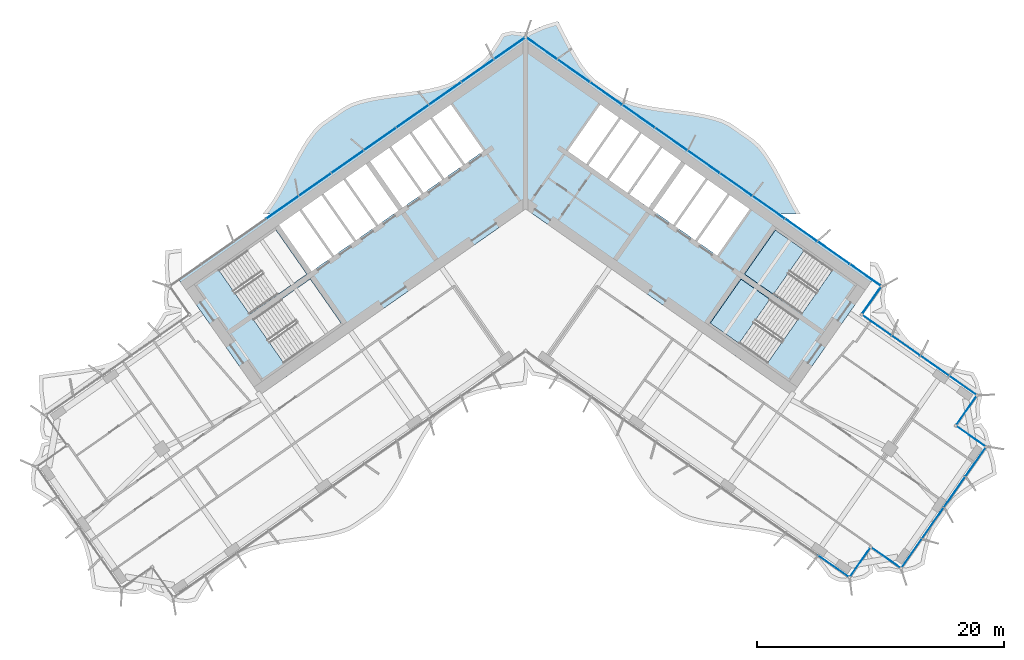
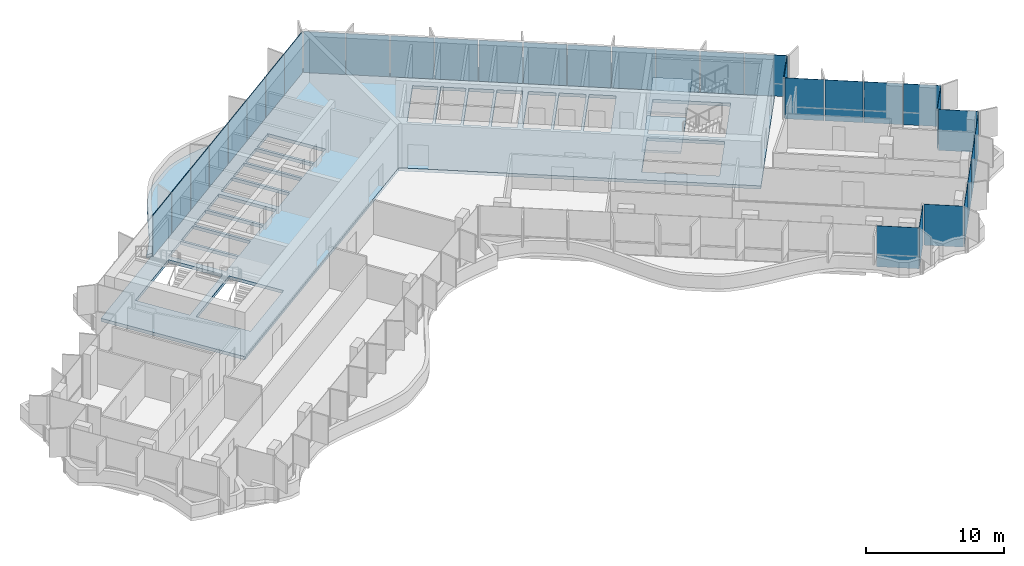
# One storey, part 11 of 21: 33 plates, 4 slabs, 4 elements without a shape of their own.
"""IFC4 building model written with IfcOpenShell, lengths in metres."""

from ifc_helpers import new_model, si_unit, direction, frame, origin, origin_2d, place, context, subcontext, project, spatial, polyline, rectangle, outline, extrude, material, layer, layer_set, type_object, element, aggregate, save


model = new_model("IFC4")

# Units and contexts
model_context = context("Model", 3, precision=1e-05, world=origin(), true_north=direction((0.0, 1.0)))
body_context = subcontext(model_context, "Body", "Model", "MODEL_VIEW")
ifc_project = project(units=[si_unit("LENGTHUNIT", "METRE"), si_unit("AREAUNIT", "SQUARE_METRE"), si_unit("VOLUMEUNIT", "CUBIC_METRE"), si_unit("PLANEANGLEUNIT", "RADIAN"), si_unit("MASSUNIT", "GRAM", prefix="KILO")], contexts=[model_context])

# Site, building, storey
site_placement = place(None, origin())
site = spatial("IfcSite", under=ifc_project, at=site_placement, CompositionType="ELEMENT")
building_placement = place(site_placement, origin())
building = spatial("IfcBuilding", under=site, at=building_placement, Name="Tel Ilan Convention Tower", CompositionType="ELEMENT")
storey_placement = place(building_placement, frame((0.0, 0.0, 159.300048828125)))
storey = spatial("IfcBuildingStorey", under=building, at=storey_placement, Name="L36", CompositionType="ELEMENT", Elevation=159.300048828125)

# Curtain wall, plates
ifc_material_1 = material(Name="Aluminium, bronze anodised", Category="aluminium")
curtain_wall_type_1 = type_object("IfcCurtainWallType", Name="CW4 STICK CURTAIN WALL, OFFICE TINTED GLASS", PredefinedType="NOTDEFINED", material=ifc_material_1)
curtain_wall_1_placement = place(storey_placement, origin())
curtain_wall_1 = element("IfcCurtainWall", 1, at=curtain_wall_1_placement, inside=storey, type_object=curtain_wall_type_1, Name="Curtain wall CW4-28.02", PredefinedType="NOTDEFINED")
ifc_material_2 = material(Name="Glass, bronze tinted, two-ply", Category="glass")
ifc_layer_1 = layer(ifc_material_2, 0.028076171875)
ifc_layer_set_1 = layer_set([ifc_layer_1], Name="CW GLASS PANEL 28")
plate_type_1 = type_object("IfcPlateType", Name="CW GLASS PANEL 28", PredefinedType="CURTAIN_PANEL", material=ifc_layer_set_1)
plate_1_placement = place(storey_placement, frame((24.958251953125, -30.172119140625, 0.0), z_axis=(0.0, 0.0, 1.0), x_axis=(0.819152044289, -0.573576436351, 0.0)))
plate_1 = element("IfcPlate", 2, at=plate_1_placement, type_object=plate_type_1, Name="Glass panel", PredefinedType="CURTAIN_PANEL", context=body_context, shape_type="SweptSolid", body=[
    extrude(rectangle(XDim=3.05078125, YDim=0.028076171875, at=origin_2d()), origin(), (0.0, 0.0, 1.0), 3.6201171875),
])
plate_2_placement = place(storey_placement, frame((27.065673828125, -29.863525390625, 0.0), z_axis=(0.0, 0.0, 1.0), x_axis=(0.573576436351, 0.819152044289, 0.0)))
plate_2 = element("IfcPlate", 3, at=plate_2_placement, type_object=plate_type_1, Name="Glass panel", PredefinedType="CURTAIN_PANEL", context=body_context, shape_type="SweptSolid", body=[
    extrude(rectangle(XDim=2.875, YDim=0.028076171875, at=origin_2d()), origin(), (0.0, 0.0, 1.0), 3.6201171875),
])
plate_3_placement = place(storey_placement, frame((29.20849609375, -29.48583984375, 0.0), z_axis=(0.0, 0.0, 1.0), x_axis=(0.819152044289, -0.573576436351, 0.0)))
plate_3 = element("IfcPlate", 4, at=plate_3_placement, type_object=plate_type_1, Name="Glass panel", PredefinedType="CURTAIN_PANEL", context=body_context, shape_type="SweptSolid", body=[
    extrude(rectangle(XDim=2.875, YDim=0.028076171875, at=origin_2d()), origin(), (0.0, 0.0, 1.0), 3.6201171875),
])
plate_4_placement = place(storey_placement, frame((31.25, -29.1181640625, 0.0), z_axis=(0.0, 0.0, 1.0), x_axis=(0.573576436351, 0.819152044289, 0.0)))
plate_4 = element("IfcPlate", 5, at=plate_4_placement, type_object=plate_type_1, Name="Glass panel", PredefinedType="CURTAIN_PANEL", context=body_context, shape_type="SweptSolid", body=[
    extrude(rectangle(XDim=2.89599609375, YDim=0.028076171875, at=origin_2d()), origin(), (0.0, 0.0, 1.0), 3.6201171875),
])
plate_5_placement = place(storey_placement, frame((32.972412109375, -26.658203125, 0.0), z_axis=(0.0, 0.0, 1.0), x_axis=(0.573576436351, 0.819152044289, 0.0)))
plate_5 = element("IfcPlate", 6, at=plate_5_placement, type_object=plate_type_1, Name="Glass panel", PredefinedType="CURTAIN_PANEL", context=body_context, shape_type="SweptSolid", body=[
    extrude(rectangle(XDim=2.989990234375, YDim=0.028076171875, at=origin_2d()), origin(), (0.0, 0.0, 1.0), 3.6201171875),
])
plate_6_placement = place(storey_placement, frame((34.721923828125, -24.159912109375, 0.0), z_axis=(0.0, 0.0, 1.0), x_axis=(0.573576436351, 0.819152044289, 0.0)))
plate_6 = element("IfcPlate", 7, at=plate_6_placement, type_object=plate_type_1, Name="Glass panel", PredefinedType="CURTAIN_PANEL", context=body_context, shape_type="SweptSolid", body=[
    extrude(rectangle(XDim=2.989990234375, YDim=0.028076171875, at=origin_2d()), origin(), (0.0, 0.0, 1.0), 3.6201171875),
])
plate_7_placement = place(storey_placement, frame((36.4443359375, -21.699951171875, 0.0), z_axis=(0.0, 0.0, 1.0), x_axis=(0.573576436351, 0.819152044289, 0.0)))
plate_7 = element("IfcPlate", 8, at=plate_7_placement, type_object=plate_type_1, Name="Glass panel", PredefinedType="CURTAIN_PANEL", context=body_context, shape_type="SweptSolid", body=[
    extrude(rectangle(XDim=2.89599609375, YDim=0.028076171875, at=origin_2d()), origin(), (0.0, 0.0, 1.0), 3.6201171875),
])
plate_8_placement = place(storey_placement, frame((36.09130859375, -19.656005859375, 0.0), z_axis=(0.0, 0.0, 1.0), x_axis=(-0.819152044289, 0.573576436351, 0.0)))
plate_8 = element("IfcPlate", 9, at=plate_8_placement, type_object=plate_type_1, Name="Glass panel", PredefinedType="CURTAIN_PANEL", context=body_context, shape_type="SweptSolid", body=[
    extrude(rectangle(XDim=2.875, YDim=0.028076171875, at=origin_2d()), origin(), (0.0, 0.0, 1.0), 3.6201171875),
])
plate_9_placement = place(storey_placement, frame((35.713623046875, -17.51318359375, 0.0), z_axis=(0.0, 0.0, 1.0), x_axis=(0.573576436351, 0.819152044289, 0.0)))
plate_9 = element("IfcPlate", 10, at=plate_9_placement, type_object=plate_type_1, Name="Glass panel", PredefinedType="CURTAIN_PANEL", context=body_context, shape_type="SweptSolid", body=[
    extrude(rectangle(XDim=2.875, YDim=0.028076171875, at=origin_2d()), origin(), (0.0, 0.0, 1.0), 3.6201171875),
])
plate_10_placement = place(storey_placement, frame((35.427978515625, -15.529052734375, 0.0), z_axis=(0.0, 0.0, 1.0), x_axis=(-0.819152044289, 0.573576436351, 0.0)))
plate_10 = element("IfcPlate", 11, at=plate_10_placement, type_object=plate_type_1, Name="Glass panel", PredefinedType="CURTAIN_PANEL", context=body_context, shape_type="SweptSolid", body=[
    extrude(rectangle(XDim=2.696044921875, YDim=0.028076171875, at=origin_2d()), origin(), (0.0, 0.0, 1.0), 3.6201171875),
])
plate_11_placement = place(storey_placement, frame((33.1318359375, -13.92138671875, 0.0), z_axis=(0.0, 0.0, 1.0), x_axis=(-0.819152044289, 0.573576436351, 0.0)))
plate_11 = element("IfcPlate", 12, at=plate_11_placement, type_object=plate_type_1, Name="Glass panel", PredefinedType="CURTAIN_PANEL", context=body_context, shape_type="SweptSolid", body=[
    extrude(rectangle(XDim=2.7900390625, YDim=0.028076171875, at=origin_2d()), origin(), (0.0, 0.0, 1.0), 3.6201171875),
])
plate_12_placement = place(storey_placement, frame((30.79736328125, -12.28662109375, 0.0), z_axis=(0.0, 0.0, 1.0), x_axis=(-0.819152044289, 0.573576436351, 0.0)))
plate_12 = element("IfcPlate", 13, at=plate_12_placement, type_object=plate_type_1, Name="Glass panel", PredefinedType="CURTAIN_PANEL", context=body_context, shape_type="SweptSolid", body=[
    extrude(rectangle(XDim=2.7900390625, YDim=0.028076171875, at=origin_2d()), origin(), (0.0, 0.0, 1.0), 3.6201171875),
])
plate_13_placement = place(storey_placement, frame((28.450927734375, -10.6435546875, 0.0), z_axis=(0.0, 0.0, 1.0), x_axis=(-0.819152044289, 0.573576436351, 0.0)))
plate_13 = element("IfcPlate", 14, at=plate_13_placement, type_object=plate_type_1, Name="Glass panel", PredefinedType="CURTAIN_PANEL", context=body_context, shape_type="SweptSolid", body=[
    extrude(rectangle(XDim=2.819091796875, YDim=0.028076171875, at=origin_2d()), origin(), (0.0, 0.0, 1.0), 3.6201171875),
])
aggregate(curtain_wall_1, [plate_1, plate_2, plate_3, plate_4, plate_5, plate_6, plate_7, plate_8, plate_9, plate_10, plate_11, plate_12, plate_13])

ifc_material_3 = material(Name="Aluminium, bronze anodised", Category="aluminium")
curtain_wall_type_2 = type_object("IfcCurtainWallType", Name="CW2 STICK CURTAIN WALL, SPANDREL PANELS", PredefinedType="NOTDEFINED", material=ifc_material_3)
curtain_wall_2_placement = place(storey_placement, origin())
curtain_wall_2 = element("IfcCurtainWall", 15, at=curtain_wall_2_placement, inside=storey, type_object=curtain_wall_type_2, Name="Curtain wall CW2-28.01", PredefinedType="NOTDEFINED")
ifc_material_4 = material(Name="Aluminium composite panel, bronze anodised", Category="aluminium")
ifc_layer_2 = layer(ifc_material_4, 0.06005859375)
ifc_layer_set_2 = layer_set([ifc_layer_2], Name="CW SPANDREL PANEL 60")
plate_type_2 = type_object("IfcPlateType", Name="CW SPANDREL PANEL 60", PredefinedType="CURTAIN_PANEL", material=ifc_layer_set_2)
plate_14_placement = place(storey_placement, frame((28.033935546875, -8.60546875, 0.0), z_axis=(0.0, 0.0, 1.0), x_axis=(0.573576436351, 0.819152044289, 0.0)))
plate_14 = element("IfcPlate", 16, at=plate_14_placement, type_object=plate_type_2, Name="Spandrel panel", PredefinedType="CURTAIN_PANEL", context=body_context, shape_type="SweptSolid", body=[
    extrude(rectangle(XDim=2.658935546875, YDim=0.06005859375, at=origin_2d()), origin(), (0.0, 0.0, 1.0), 3.6201171875),
])
plate_15_placement = place(storey_placement, frame((27.5400390625, -6.587646484375, 0.0), z_axis=(0.0, 0.0, 1.0), x_axis=(-0.819152044289, 0.573576436351, 0.0)))
plate_15 = element("IfcPlate", 17, at=plate_15_placement, type_object=plate_type_2, Name="Spandrel panel", PredefinedType="CURTAIN_PANEL", context=body_context, shape_type="SweptSolid", body=[
    extrude(rectangle(XDim=3.0439453125, YDim=0.06005859375, at=origin_2d()), origin(), (0.0, 0.0, 1.0), 3.6201171875),
])
plate_16_placement = place(storey_placement, frame((24.95263671875, -4.77587890625, 0.0), z_axis=(0.0, 0.0, 1.0), x_axis=(-0.819152044289, 0.573576436351, 0.0)))
plate_16 = element("IfcPlate", 18, at=plate_16_placement, type_object=plate_type_2, Name="Spandrel panel", PredefinedType="CURTAIN_PANEL", context=body_context, shape_type="SweptSolid", body=[
    extrude(rectangle(XDim=3.15380859375, YDim=0.06005859375, at=origin_2d()), origin(), (0.0, 0.0, 1.0), 3.6201171875),
])
plate_17_placement = place(storey_placement, frame((22.31982421875, -2.9326171875, 0.0), z_axis=(0.0, 0.0, 1.0), x_axis=(-0.819152044289, 0.573576436351, 0.0)))
plate_17 = element("IfcPlate", 19, at=plate_17_placement, type_object=plate_type_2, Name="Spandrel panel", PredefinedType="CURTAIN_PANEL", context=body_context, shape_type="SweptSolid", body=[
    extrude(rectangle(XDim=3.15380859375, YDim=0.06005859375, at=origin_2d()), origin(), (0.0, 0.0, 1.0), 3.6201171875),
])
plate_18_placement = place(storey_placement, frame((19.687255859375, -1.089111328125, 0.0), z_axis=(0.0, 0.0, 1.0), x_axis=(-0.819152044289, 0.573576436351, 0.0)))
plate_18 = element("IfcPlate", 20, at=plate_18_placement, type_object=plate_type_2, Name="Spandrel panel", PredefinedType="CURTAIN_PANEL", context=body_context, shape_type="SweptSolid", body=[
    extrude(rectangle(XDim=3.15380859375, YDim=0.06005859375, at=origin_2d()), origin(), (0.0, 0.0, 1.0), 3.6201171875),
])
plate_19_placement = place(storey_placement, frame((17.0546875, 0.754150390625, 0.0), z_axis=(0.0, 0.0, 1.0), x_axis=(-0.819152044289, 0.573576436351, 0.0)))
plate_19 = element("IfcPlate", 21, at=plate_19_placement, type_object=plate_type_2, Name="Spandrel panel", PredefinedType="CURTAIN_PANEL", context=body_context, shape_type="SweptSolid", body=[
    extrude(rectangle(XDim=3.15380859375, YDim=0.06005859375, at=origin_2d()), origin(), (0.0, 0.0, 1.0), 3.6201171875),
])
plate_20_placement = place(storey_placement, frame((14.422119140625, 2.59765625, 0.0), z_axis=(0.0, 0.0, 1.0), x_axis=(-0.819152044289, 0.573576436351, 0.0)))
plate_20 = element("IfcPlate", 22, at=plate_20_placement, type_object=plate_type_2, Name="Spandrel panel", PredefinedType="CURTAIN_PANEL", context=body_context, shape_type="SweptSolid", body=[
    extrude(rectangle(XDim=3.15380859375, YDim=0.06005859375, at=origin_2d()), origin(), (0.0, 0.0, 1.0), 3.6201171875),
])
plate_21_placement = place(storey_placement, frame((11.789306640625, 4.44091796875, 0.0), z_axis=(0.0, 0.0, 1.0), x_axis=(-0.819152044289, 0.573576436351, 0.0)))
plate_21 = element("IfcPlate", 23, at=plate_21_placement, type_object=plate_type_2, Name="Spandrel panel", PredefinedType="CURTAIN_PANEL", context=body_context, shape_type="SweptSolid", body=[
    extrude(rectangle(XDim=3.15380859375, YDim=0.06005859375, at=origin_2d()), origin(), (0.0, 0.0, 1.0), 3.6201171875),
])
plate_22_placement = place(storey_placement, frame((9.15673828125, 6.284423828125, 0.0), z_axis=(0.0, 0.0, 1.0), x_axis=(-0.819152044289, 0.573576436351, 0.0)))
plate_22 = element("IfcPlate", 24, at=plate_22_placement, type_object=plate_type_2, Name="Spandrel panel", PredefinedType="CURTAIN_PANEL", context=body_context, shape_type="SweptSolid", body=[
    extrude(rectangle(XDim=3.15380859375, YDim=0.06005859375, at=origin_2d()), origin(), (0.0, 0.0, 1.0), 3.6201171875),
])
plate_23_placement = place(storey_placement, frame((6.524169921875, 8.127685546875, 0.0), z_axis=(0.0, 0.0, 1.0), x_axis=(-0.819152044289, 0.573576436351, 0.0)))
plate_23 = element("IfcPlate", 25, at=plate_23_placement, type_object=plate_type_2, Name="Spandrel panel", PredefinedType="CURTAIN_PANEL", context=body_context, shape_type="SweptSolid", body=[
    extrude(rectangle(XDim=3.15380859375, YDim=0.06005859375, at=origin_2d()), origin(), (0.0, 0.0, 1.0), 3.6201171875),
])
plate_24_placement = place(storey_placement, frame((3.8916015625, 9.97119140625, 0.0), z_axis=(0.0, 0.0, 1.0), x_axis=(-0.819152044289, 0.573576436351, 0.0)))
plate_24 = element("IfcPlate", 26, at=plate_24_placement, type_object=plate_type_2, Name="Spandrel panel", PredefinedType="CURTAIN_PANEL", context=body_context, shape_type="SweptSolid", body=[
    extrude(rectangle(XDim=3.15380859375, YDim=0.06005859375, at=origin_2d()), origin(), (0.0, 0.0, 1.0), 3.6201171875),
])
plate_25_placement = place(storey_placement, frame((1.303955078125, 11.782958984375, 0.0), z_axis=(0.0, 0.0, 1.0), x_axis=(-0.819152044289, 0.573576436351, 0.0)))
plate_25 = element("IfcPlate", 27, at=plate_25_placement, type_object=plate_type_2, Name="Spandrel panel", PredefinedType="CURTAIN_PANEL", context=body_context, shape_type="SweptSolid", body=[
    extrude(rectangle(XDim=3.0439453125, YDim=0.06005859375, at=origin_2d()), origin(), (0.0, 0.0, 1.0), 3.6201171875),
])
plate_26_placement = place(storey_placement, frame((-1.303955078125, 11.782958984375, 0.0), z_axis=(0.0, 0.0, 1.0), x_axis=(-0.819152044289, -0.573576436351, 0.0)))
plate_26 = element("IfcPlate", 28, at=plate_26_placement, type_object=plate_type_2, Name="Spandrel panel", PredefinedType="CURTAIN_PANEL", context=body_context, shape_type="SweptSolid", body=[
    extrude(rectangle(XDim=3.0439453125, YDim=0.06005859375, at=origin_2d()), origin(), (0.0, 0.0, 1.0), 3.6201171875),
])
plate_27_placement = place(storey_placement, frame((-3.8916015625, 9.97119140625, 0.0), z_axis=(0.0, 0.0, 1.0), x_axis=(-0.819152044289, -0.573576436351, 0.0)))
plate_27 = element("IfcPlate", 29, at=plate_27_placement, type_object=plate_type_2, Name="Spandrel panel", PredefinedType="CURTAIN_PANEL", context=body_context, shape_type="SweptSolid", body=[
    extrude(rectangle(XDim=3.15380859375, YDim=0.06005859375, at=origin_2d()), origin(), (0.0, 0.0, 1.0), 3.6201171875),
])
plate_28_placement = place(storey_placement, frame((-6.524169921875, 8.127685546875, 0.0), z_axis=(0.0, 0.0, 1.0), x_axis=(-0.819152044289, -0.573576436351, 0.0)))
plate_28 = element("IfcPlate", 30, at=plate_28_placement, type_object=plate_type_2, Name="Spandrel panel", PredefinedType="CURTAIN_PANEL", context=body_context, shape_type="SweptSolid", body=[
    extrude(rectangle(XDim=3.15380859375, YDim=0.06005859375, at=origin_2d()), origin(), (0.0, 0.0, 1.0), 3.6201171875),
])
plate_29_placement = place(storey_placement, frame((-9.15673828125, 6.284423828125, 0.0), z_axis=(0.0, 0.0, 1.0), x_axis=(-0.819152044289, -0.573576436351, 0.0)))
plate_29 = element("IfcPlate", 31, at=plate_29_placement, type_object=plate_type_2, Name="Spandrel panel", PredefinedType="CURTAIN_PANEL", context=body_context, shape_type="SweptSolid", body=[
    extrude(rectangle(XDim=3.15380859375, YDim=0.06005859375, at=origin_2d()), origin(), (0.0, 0.0, 1.0), 3.6201171875),
])
plate_30_placement = place(storey_placement, frame((-11.789306640625, 4.44091796875, 0.0), z_axis=(0.0, 0.0, 1.0), x_axis=(-0.819152044289, -0.573576436351, 0.0)))
plate_30 = element("IfcPlate", 32, at=plate_30_placement, type_object=plate_type_2, Name="Spandrel panel", PredefinedType="CURTAIN_PANEL", context=body_context, shape_type="SweptSolid", body=[
    extrude(rectangle(XDim=3.15380859375, YDim=0.06005859375, at=origin_2d()), origin(), (0.0, 0.0, 1.0), 3.6201171875),
])
plate_31_placement = place(storey_placement, frame((-14.422119140625, 2.59765625, 0.0), z_axis=(0.0, 0.0, 1.0), x_axis=(-0.819152044289, -0.573576436351, 0.0)))
plate_31 = element("IfcPlate", 33, at=plate_31_placement, type_object=plate_type_2, Name="Spandrel panel", PredefinedType="CURTAIN_PANEL", context=body_context, shape_type="SweptSolid", body=[
    extrude(rectangle(XDim=3.15380859375, YDim=0.06005859375, at=origin_2d()), origin(), (0.0, 0.0, 1.0), 3.6201171875),
])
plate_32_placement = place(storey_placement, frame((-17.0546875, 0.754150390625, 0.0), z_axis=(0.0, 0.0, 1.0), x_axis=(-0.819152044289, -0.573576436351, 0.0)))
plate_32 = element("IfcPlate", 34, at=plate_32_placement, type_object=plate_type_2, Name="Spandrel panel", PredefinedType="CURTAIN_PANEL", context=body_context, shape_type="SweptSolid", body=[
    extrude(rectangle(XDim=3.15380859375, YDim=0.06005859375, at=origin_2d()), origin(), (0.0, 0.0, 1.0), 3.6201171875),
])
plate_33_placement = place(storey_placement, frame((-19.687255859375, -1.089111328125, 0.0), z_axis=(0.0, 0.0, 1.0), x_axis=(-0.819152044289, -0.573576436351, 0.0)))
plate_33 = element("IfcPlate", 35, at=plate_33_placement, type_object=plate_type_2, Name="Spandrel panel", PredefinedType="CURTAIN_PANEL", context=body_context, shape_type="SweptSolid", body=[
    extrude(rectangle(XDim=3.15380859375, YDim=0.06005859375, at=origin_2d()), origin(), (0.0, 0.0, 1.0), 3.6201171875),
])
aggregate(curtain_wall_2, [plate_14, plate_15, plate_16, plate_17, plate_18, plate_19, plate_20, plate_21, plate_22, plate_23, plate_24, plate_25, plate_26, plate_27, plate_28, plate_29, plate_30, plate_31, plate_32, plate_33])

# Stair, slab
ifc_material_5 = material(Name="Concrete C40/50", Category="concrete")
stair_type = type_object("IfcStairType", Name="Pressurised Exit Stair 22 risers 177 mm", PredefinedType="HALF_TURN_STAIR", material=ifc_material_5)
stair_1_placement = place(storey_placement, origin())
stair_1 = element("IfcStair", 36, at=stair_1_placement, inside=storey, type_object=stair_type, Name="L36 Pressurised Stair S3", PredefinedType="HALF_TURN_STAIR")
ifc_material_6 = material(Name="Concrete C40/50", Category="concrete")
ifc_layer_3 = layer(ifc_material_6, 0.199951171875)
ifc_layer_set_3 = layer_set([ifc_layer_3], Name="Concrete Stair Landing 200 mm C40/50")
slab_type_1 = type_object("IfcSlabType", Name="Concrete Stair Landing 200 mm", PredefinedType="LANDING", material=ifc_layer_set_3)
slab_1_placement = place(storey_placement, frame((0.0, 0.0, 1.75)))
slab_1 = element("IfcSlab", 37, at=slab_1_placement, type_object=slab_type_1, Name="S3 landing 1", PredefinedType="LANDING", context=body_context, shape_type="SweptSolid", body=[
    extrude(outline(polyline([(22.561767578125, -4.566650390625), (20.226318359375, -2.931640625), (17.7314453125, -6.494873046875), (20.066650390625, -8.130126953125), (22.561767578125, -4.566650390625)])), origin(), (0.0, 0.0, 1.0), 0.199951171875),
])
aggregate(stair_1, [slab_1])

stair_2_placement = place(storey_placement, origin())
stair_2 = element("IfcStair", 38, at=stair_2_placement, inside=storey, type_object=stair_type, Name="L36 Pressurised Stair S4", PredefinedType="HALF_TURN_STAIR")
slab_2_placement = place(storey_placement, frame((0.0, 0.0, 1.75)))
slab_2 = element("IfcSlab", 39, at=slab_2_placement, type_object=slab_type_1, Name="S4 landing 1", PredefinedType="LANDING", context=body_context, shape_type="SweptSolid", body=[
    extrude(outline(polyline([(19.77978515625, -8.53955078125), (17.444580078125, -6.904541015625), (14.949462890625, -10.4677734375), (17.28466796875, -12.10302734375), (19.77978515625, -8.53955078125)])), origin(), (0.0, 0.0, 1.0), 0.199951171875),
])
aggregate(stair_2, [slab_2])

# Slabs
ifc_material_7 = material(Name="Concrete C40/50", Category="concrete")
ifc_layer_4 = layer(ifc_material_7, 0.280029296875)
ifc_layer_set_4 = layer_set([ifc_layer_4], Name="Core Floor Slab 280 mm C40/50")
slab_type_2 = type_object("IfcSlabType", Name="Core Floor Slab 280 mm C40/50", PredefinedType="FLOOR", material=ifc_layer_set_4)
slab_3_placement = place(storey_placement, frame((0.0, 0.0, -0.280029296875)))
element("IfcSlab", 40, at=slab_3_placement, inside=storey, type_object=slab_type_2, Name="L36 core floor 1", PredefinedType="FLOOR", context=body_context, shape_type="SweptSolid", body=[
    extrude(outline(polyline([(-28.1396484375, -6.885498046875), (0.0, 12.818115234375), (28.1396484375, -6.885498046875), (21.54345703125, -16.3056640625), (0.0, -1.220703125), (-21.54345703125, -16.3056640625), (-28.1396484375, -6.885498046875)]), holes=[polyline([(-14.949462890625, -10.4677734375), (-17.444580078125, -6.904541015625), (-22.072021484375, -10.144775390625), (-19.5771484375, -13.7080078125), (-14.949462890625, -10.4677734375)]), polyline([(-17.7314453125, -6.494873046875), (-20.226318359375, -2.931640625), (-24.85400390625, -6.171875), (-22.35888671875, -9.735107421875), (-17.7314453125, -6.494873046875)]), polyline([(-18.313720703125, -1.34814453125), (-19.972412109375, -2.509521484375), (-17.333984375, -6.277587890625), (-15.67529296875, -5.1162109375), (-18.313720703125, -1.34814453125)]), polyline([(-16.531982421875, -0.1005859375), (-18.14990234375, -1.2333984375), (-15.511474609375, -5.00146484375), (-13.8935546875, -3.86865234375), (-16.531982421875, -0.1005859375)]), polyline([(-14.75048828125, 1.14697265625), (-16.368408203125, 0.01416015625), (-13.729736328125, -3.75390625), (-12.112060546875, -2.62109375), (-14.75048828125, 1.14697265625)]), polyline([(-12.927734375, 2.423095703125), (-14.586669921875, 1.26171875), (-11.947998046875, -2.506591796875), (-10.289306640625, -1.344970703125), (-12.927734375, 2.423095703125)]), polyline([(-11.053955078125, 3.735107421875), (-12.60009765625, 2.652587890625), (-9.961669921875, -1.115478515625), (-8.41552734375, -0.032958984375), (-11.053955078125, 3.735107421875)]), polyline([(-6.74658203125, 1.1357421875), (-9.385009765625, 4.90380859375), (-10.89013671875, 3.849853515625), (-8.251708984375, 0.081787109375), (-6.74658203125, 1.1357421875)]), polyline([(-5.077392578125, 2.304443359375), (-7.716064453125, 6.072509765625), (-9.22119140625, 5.0185546875), (-6.582763671875, 1.25048828125), (-5.077392578125, 2.304443359375)]), polyline([(-6.046875, 7.2412109375), (-7.552001953125, 6.187255859375), (-4.913818359375, 2.419189453125), (-3.408447265625, 3.47314453125), (-6.046875, 7.2412109375)]), polyline([(17.444580078125, -6.904541015625), (14.949462890625, -10.4677734375), (19.5771484375, -13.7080078125), (22.072021484375, -10.144775390625), (17.444580078125, -6.904541015625)]), polyline([(20.226318359375, -2.931640625), (17.7314453125, -6.494873046875), (22.35888671875, -9.735107421875), (24.85400390625, -6.171875), (20.226318359375, -2.931640625)]), polyline([(13.8935546875, -3.86865234375), (15.511474609375, -5.00146484375), (18.14990234375, -1.2333984375), (16.531982421875, -0.1005859375), (13.8935546875, -3.86865234375)]), polyline([(12.112060546875, -2.62109375), (13.729736328125, -3.75390625), (16.368408203125, 0.01416015625), (14.75048828125, 1.14697265625), (12.112060546875, -2.62109375)]), polyline([(11.947998046875, -2.506591796875), (14.586669921875, 1.26171875), (12.927734375, 2.423095703125), (10.289306640625, -1.344970703125), (11.947998046875, -2.506591796875)]), polyline([(9.961669921875, -1.115478515625), (12.60009765625, 2.652587890625), (11.053955078125, 3.735107421875), (8.41552734375, -0.032958984375), (9.961669921875, -1.115478515625)]), polyline([(8.251708984375, 0.081787109375), (10.89013671875, 3.849853515625), (9.385009765625, 4.90380859375), (6.74658203125, 1.1357421875), (8.251708984375, 0.081787109375)]), polyline([(5.077392578125, 2.304443359375), (6.582763671875, 1.25048828125), (9.22119140625, 5.0185546875), (7.716064453125, 6.072509765625), (5.077392578125, 2.304443359375)]), polyline([(3.408447265625, 3.47314453125), (4.913818359375, 2.419189453125), (7.552001953125, 6.187255859375), (6.046875, 7.2412109375), (3.408447265625, 3.47314453125)])]), origin(), (0.0, 0.0, 1.0), 0.280029296875),
])
ifc_material_8 = material(Name="Concrete C40/50", Category="concrete")
ifc_layer_5 = layer(ifc_material_8, 0.280029296875)
ifc_layer_set_5 = layer_set([ifc_layer_5], Name="Edge Ledge Slab 280 mm C40/50")
slab_type_3 = type_object("IfcSlabType", Name="Edge Ledge Slab 280 mm C40/50", PredefinedType="FLOOR", material=ifc_layer_set_5)
slab_4_placement = place(storey_placement, frame((0.0, 0.0, -0.280029296875)))
element("IfcSlab", 41, at=slab_4_placement, inside=storey, type_object=slab_type_3, Name="L36 edge ledge 2", PredefinedType="FLOOR", context=body_context, shape_type="SweptSolid", body=[
    extrude(outline(polyline([(-19.60009765625, 1.004150390625), (-19.217529296875, 1.741943359375), (-18.83642578125, 2.481689453125), (-18.44677734375, 3.209228515625), (-18.0390625, 3.910888671875), (-17.604736328125, 4.574951171875), (-17.13671875, 5.190185546875), (-16.6015625, 5.71044921875), (-14.791748046875, 6.977783203125), (-14.1416015625, 7.33349609375), (-13.41064453125, 7.573486328125), (-12.644287109375, 7.76318359375), (-11.849853515625, 7.91259765625), (-11.03564453125, 8.033935546875), (-10.211181640625, 8.140380859375), (-9.385986328125, 8.24609375), (-8.570068359375, 8.36474609375), (-7.7724609375, 8.509765625), (-7.002197265625, 8.693603515625), (-6.26611328125, 8.926513671875), (-5.601806640625, 9.261962890625), (-3.7919921875, 10.529296875), (-3.2421875, 11.0283203125), (-2.769287109375, 11.63671875), (-2.3310546875, 12.294921875), (-1.919921875, 12.991943359375), (-1.14208984375, 13.1650390625), (-0.172119140625, 13.06396484375), (-0.168701171875, 13.05908203125), (-0.11474609375, 13.09521484375), (0.0, 13.1181640625), (0.11474609375, 13.09521484375), (0.168701171875, 13.05908203125), (0.172119140625, 13.06396484375), (1.4794921875, 13.647216796875), (2.6162109375, 13.986328125), (3.000244140625, 13.250732421875), (3.38134765625, 12.510986328125), (3.770263671875, 11.7822265625), (4.176513671875, 11.078369140625), (4.608642578125, 10.41162109375), (5.074462890625, 9.792724609375), (5.601806640625, 9.261962890625), (7.411865234375, 7.99462890625), (8.054931640625, 7.62890625), (8.783447265625, 7.385498046875), (9.547607421875, 7.19287109375), (10.340576171875, 7.041015625), (11.15380859375, 6.91845703125), (11.977783203125, 6.811279296875), (12.80322265625, 6.7060546875), (13.6201171875, 6.588623046875), (14.419189453125, 6.44580078125), (15.191650390625, 6.2646484375), (15.929931640625, 6.03515625), (16.6015625, 5.71044921875), (18.41162109375, 4.443115234375), (18.96826171875, 3.9541015625), (19.44384765625, 3.34912109375), (19.884033203125, 2.69384765625), (20.296142578125, 1.998291015625), (20.688720703125, 1.27490234375), (21.07080078125, 0.53662109375), (21.4521484375, -0.202880859375), (21.8427734375, -0.928955078125), (22.25341796875, -1.631591796875), (20.63623046875, -1.631591796875), (0.0, 12.818115234375), (-20.63623046875, -1.631591796875), (-21.30126953125, -1.631591796875), (-20.849609375, -1.0634765625), (-20.4072265625, -0.4111328125), (-19.993408203125, 0.281982421875), (-19.60009765625, 1.004150390625)])), origin(), (0.0, 0.0, 1.0), 0.280029296875),
])

save(model, "model.ifc")
